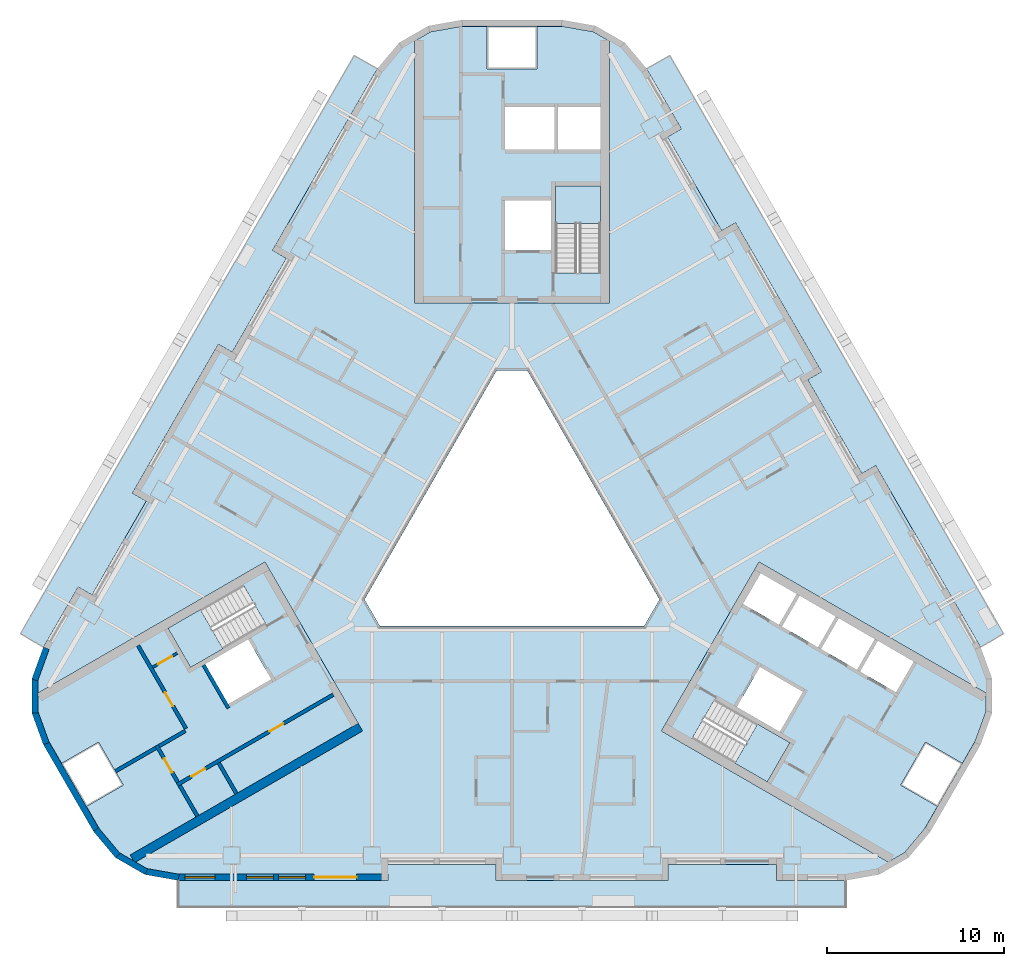
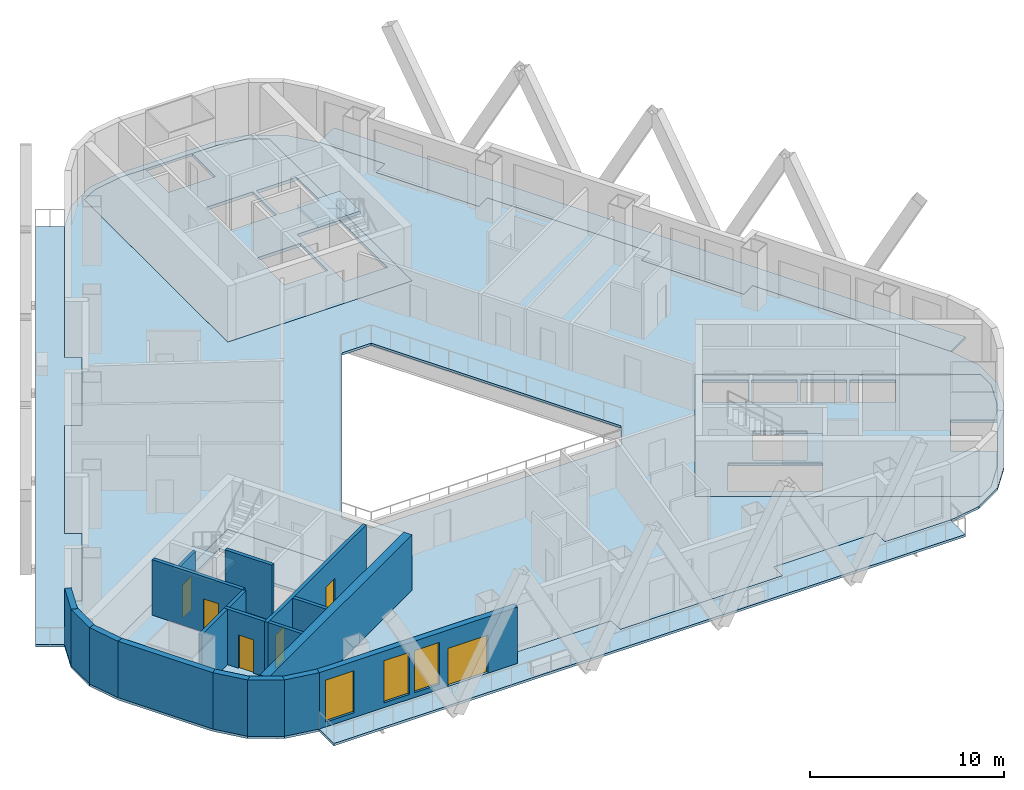
# One storey, part 2 of 13: 18 walls, 10 slabs, 6 doors, 3 windows, 9 openings, 3 elements without a shape of their own.
"""IFC4 building model written with IfcOpenShell, lengths in metres."""

from ifc_helpers import new_model, si_unit, direction, frame, frame_2d, origin, place, context, subcontext, project, spatial, polyline, rectangle, outline, extrude, material, layer, layer_set, type_object, element, fill, aggregate, save


model = new_model("IFC4")

# Units and contexts
model_context = context("Model", 3, precision=1e-05, world=origin(), true_north=direction((0.0, 1.0)))
body_context = subcontext(model_context, "Body", "Model", "MODEL_VIEW")
ifc_project = project(units=[si_unit("LENGTHUNIT", "METRE"), si_unit("AREAUNIT", "SQUARE_METRE"), si_unit("VOLUMEUNIT", "CUBIC_METRE"), si_unit("PLANEANGLEUNIT", "RADIAN"), si_unit("MASSUNIT", "GRAM", prefix="KILO")], contexts=[model_context])

# Site, building, storey
site_placement = place(None, origin())
site = spatial("IfcSite", under=ifc_project, at=site_placement, CompositionType="ELEMENT")
building_placement = place(site_placement, origin())
building = spatial("IfcBuilding", under=site, at=building_placement, Name="Apuvela Tower Hotel", CompositionType="ELEMENT")
storey_placement = place(building_placement, frame((0.0, 0.0, 68.699951171875)))
storey = spatial("IfcBuildingStorey", under=building, at=storey_placement, Name="L14", CompositionType="ELEMENT", Elevation=68.699951171875)

# Slabs
ifc_material_1 = material(Name="Concrete C50/60", Category="concrete")
ifc_layer_1 = layer(ifc_material_1, 0.199951171875)
ifc_layer_set_1 = layer_set([ifc_layer_1], Name="COR-FLOOR-200")
slab_type_1 = type_object("IfcSlabType", Name="COR-FLOOR-200", PredefinedType="FLOOR", material=ifc_layer_set_1)
slab_1_placement = place(storey_placement, frame((0.0, 0.0, -0.199951171875)))
element("IfcSlab", 1, at=slab_1_placement, inside=storey, type_object=slab_type_1, Name="Core floor N", PredefinedType="FLOOR", context=body_context, shape_type="SweptSolid", body=[
    extrude(outline(polyline([(5.5, 27.668212890625), (4.588623046875, 28.1943359375), (2.85498046875, 28.5), (1.39990234375, 28.5), (1.39990234375, 26.10009765625), (-1.39990234375, 26.10009765625), (-1.39990234375, 28.5), (-2.85498046875, 28.5), (-4.588623046875, 28.1943359375), (-5.5, 27.668212890625), (-5.5, 12.89990234375), (5.5, 12.89990234375), (5.5, 27.668212890625)]), holes=[polyline([(5.0, 14.60595703125), (2.449951171875, 14.60595703125), (2.449951171875, 19.5), (5.0, 19.5), (5.0, 14.60595703125)]), polyline([(2.199951171875, 15.89990234375), (-0.39990234375, 15.89990234375), (-0.39990234375, 18.699951171875), (2.199951171875, 18.699951171875), (2.199951171875, 15.89990234375)]), polyline([(5.0, 21.550048828125), (2.60009765625, 21.550048828125), (2.60009765625, 23.949951171875), (5.0, 23.949951171875), (5.0, 21.550048828125)]), polyline([(2.39990234375, 21.550048828125), (-0.39990234375, 21.550048828125), (-0.39990234375, 23.949951171875), (2.39990234375, 23.949951171875), (2.39990234375, 21.550048828125)])]), origin(), (0.0, 0.0, 1.0), 0.199951171875),
])
slab_2_placement = place(storey_placement, frame((0.0, 0.0, -0.199951171875)))
element("IfcSlab", 2, at=slab_2_placement, inside=storey, type_object=slab_type_1, Name="Core floor SW", PredefinedType="FLOOR", context=body_context, shape_type="SweptSolid", body=[
    extrude(outline(polyline([(-26.711181640625, -9.07080078125), (-26.711181640625, -10.123291015625), (-26.109375, -11.77734375), (-25.381591796875, -13.03759765625), (-23.30322265625, -11.837646484375), (-21.9033203125, -14.262451171875), (-23.981689453125, -15.46240234375), (-23.254150390625, -16.72265625), (-22.122802734375, -18.071044921875), (-21.211181640625, -18.59716796875), (-8.421630859375, -11.213134765625), (-13.921630859375, -1.68701171875), (-26.711181640625, -9.07080078125)]), holes=[polyline([(-13.874267578125, -5.18115234375), (-18.112548828125, -7.628173828125), (-19.387451171875, -5.419921875), (-15.149169921875, -2.972900390625), (-13.874267578125, -5.18115234375)]), polyline([(-13.56982421875, -8.29638671875), (-15.99462890625, -9.6962890625), (-17.294677734375, -7.444580078125), (-14.869873046875, -6.044677734375), (-13.56982421875, -8.29638671875)])]), origin(), (0.0, 0.0, 1.0), 0.199951171875),
])
slab_3_placement = place(storey_placement, frame((0.0, 0.0, -0.199951171875)))
element("IfcSlab", 3, at=slab_3_placement, inside=storey, type_object=slab_type_1, Name="Core floor SE", PredefinedType="FLOOR", context=body_context, shape_type="SweptSolid", body=[
    extrude(outline(polyline([(21.211181640625, -18.59716796875), (22.122802734375, -18.071044921875), (23.254150390625, -16.72265625), (23.981689453125, -15.46240234375), (21.9033203125, -14.262451171875), (23.30322265625, -11.837646484375), (25.381591796875, -13.03759765625), (26.109375, -11.77734375), (26.711181640625, -10.123291015625), (26.711181640625, -9.07080078125), (13.921630859375, -1.68701171875), (8.421630859375, -11.213134765625), (21.211181640625, -18.59716796875)]), holes=[polyline([(13.01806640625, -4.052001953125), (14.01806640625, -2.31982421875), (16.044677734375, -3.489990234375), (15.044677734375, -5.221923828125), (13.01806640625, -4.052001953125)]), polyline([(17.244384765625, -6.491943359375), (15.2177734375, -5.322021484375), (16.2177734375, -3.58984375), (18.244384765625, -4.760009765625), (17.244384765625, -6.491943359375)]), polyline([(14.387451171875, -14.080078125), (10.149169921875, -11.633056640625), (11.42431640625, -9.4248046875), (15.66259765625, -11.871826171875), (14.387451171875, -14.080078125)]), polyline([(12.669921875, -9.855224609375), (13.9697265625, -7.603515625), (16.394775390625, -9.003662109375), (15.0947265625, -11.25537109375), (12.669921875, -9.855224609375)]), polyline([(19.444091796875, -7.761962890625), (17.41748046875, -6.591796875), (18.41748046875, -4.85986328125), (20.444091796875, -6.02978515625), (19.444091796875, -7.761962890625)]), polyline([(21.643798828125, -9.031982421875), (19.6171875, -7.86181640625), (20.6171875, -6.1298828125), (22.643798828125, -7.2998046875), (21.643798828125, -9.031982421875)])]), origin(), (0.0, 0.0, 1.0), 0.199951171875),
])

# Stair, slab
stair_type = type_object("IfcStairType", Name="COR-STAIR-22R", PredefinedType="HALF_TURN_STAIR", material=ifc_material_1)
stair_1_placement = place(storey_placement, origin())
stair_1 = element("IfcStair", 4, at=stair_1_placement, inside=storey, type_object=stair_type, Name="L14 Exit stair ST1", PredefinedType="HALF_TURN_STAIR")
ifc_layer_2 = layer(ifc_material_1, 0.199951171875)
ifc_layer_set_2 = layer_set([ifc_layer_2], Name="COR-LANDING-200")
slab_type_2 = type_object("IfcSlabType", Name="COR-LANDING-200", PredefinedType="LANDING", material=ifc_layer_set_2)
slab_4_placement = place(storey_placement, frame((0.0, 0.0, 1.650146484375)))
slab_4 = element("IfcSlab", 5, at=slab_4_placement, type_object=slab_type_2, Name="ST1 landing 1", PredefinedType="LANDING", context=body_context, shape_type="SweptSolid", body=[
    extrude(outline(polyline([(5.0, 17.39404296875), (5.0, 19.5), (2.449951171875, 19.5), (2.449951171875, 17.39404296875), (5.0, 17.39404296875)])), origin(), (0.0, 0.0, 1.0), 0.199951171875),
])
aggregate(stair_1, [slab_4])

stair_2_placement = place(storey_placement, origin())
stair_2 = element("IfcStair", 6, at=stair_2_placement, inside=storey, type_object=stair_type, Name="L14 Exit stair ST2", PredefinedType="HALF_TURN_STAIR")
slab_5_placement = place(storey_placement, frame((0.0, 0.0, 1.650146484375)))
slab_5 = element("IfcSlab", 7, at=slab_5_placement, type_object=slab_type_2, Name="ST2 landing 1", PredefinedType="LANDING", context=body_context, shape_type="SweptSolid", body=[
    extrude(outline(polyline([(-17.563720703125, -4.366943359375), (-19.387451171875, -5.419921875), (-18.112548828125, -7.628173828125), (-16.28857421875, -6.5751953125), (-17.563720703125, -4.366943359375)])), origin(), (0.0, 0.0, 1.0), 0.199951171875),
])
aggregate(stair_2, [slab_5])

stair_3_placement = place(storey_placement, origin())
stair_3 = element("IfcStair", 8, at=stair_3_placement, inside=storey, type_object=stair_type, Name="L14 Exit stair ST3", PredefinedType="HALF_TURN_STAIR")
slab_6_placement = place(storey_placement, frame((0.0, 0.0, 1.650146484375)))
slab_6 = element("IfcSlab", 9, at=slab_6_placement, type_object=slab_type_2, Name="ST3 landing 1", PredefinedType="LANDING", context=body_context, shape_type="SweptSolid", body=[
    extrude(outline(polyline([(12.563720703125, -13.027099609375), (14.387451171875, -14.080078125), (15.66259765625, -11.871826171875), (13.838623046875, -10.81884765625), (12.563720703125, -13.027099609375)])), origin(), (0.0, 0.0, 1.0), 0.199951171875),
])
aggregate(stair_3, [slab_6])

# Slabs
ifc_material_2 = material(Name="Concrete C40/50, fair-faced", Category="concrete")
ifc_layer_3 = layer(ifc_material_2, 0.14990234375)
ifc_layer_set_3 = layer_set([ifc_layer_3], Name="ENV-BALCONY-150")
slab_type_3 = type_object("IfcSlabType", Name="ENV-BALCONY-150", PredefinedType="FLOOR", material=ifc_layer_set_3)
slab_7_placement = place(storey_placement, frame((0.0, 0.0, -0.14990234375)))
element("IfcSlab", 10, at=slab_7_placement, inside=storey, type_object=slab_type_3, Name="Balcony slab S L14", PredefinedType="FLOOR", context=body_context, shape_type="SweptSolid", body=[
    extrude(outline(polyline([(18.82080078125, -21.135009765625), (-18.82080078125, -21.135009765625), (-18.82080078125, -19.625), (-7.0048828125, -19.625), (-7.0048828125, -18.72509765625), (-0.89501953125, -18.72509765625), (-0.89501953125, -19.625), (8.794921875, -19.625), (8.794921875, -18.72509765625), (14.905029296875, -18.72509765625), (14.905029296875, -19.625), (18.82080078125, -19.625), (18.82080078125, -21.135009765625)])), origin(), (0.0, 0.0, 1.0), 0.14990234375),
])
slab_8_placement = place(storey_placement, frame((0.0, 0.0, -0.14990234375)))
element("IfcSlab", 11, at=slab_8_placement, inside=storey, type_object=slab_type_3, Name="Balcony slab NE L14", PredefinedType="FLOOR", context=body_context, shape_type="SweptSolid", body=[
    extrude(outline(polyline([(17.443359375, 9.037353515625), (12.598388671875, 17.42919921875), (11.81884765625, 16.979248046875), (8.763916015625, 22.2705078125), (9.543212890625, 22.720703125), (7.585205078125, 26.11181640625), (8.89306640625, 26.86669921875), (27.7138671875, -5.731689453125), (26.40625, -6.48681640625), (20.498291015625, 3.74609375), (19.71875, 3.2958984375), (16.663818359375, 8.58740234375), (17.443359375, 9.037353515625)])), origin(), (0.0, 0.0, 1.0), 0.14990234375),
])
slab_9_placement = place(storey_placement, frame((0.0, 0.0, -0.14990234375)))
element("IfcSlab", 12, at=slab_9_placement, inside=storey, type_object=slab_type_3, Name="Balcony slab NW L14", PredefinedType="FLOOR", context=body_context, shape_type="SweptSolid", body=[
    extrude(outline(polyline([(-27.7138671875, -5.731689453125), (-8.89306640625, 26.86669921875), (-7.585205078125, 26.11181640625), (-13.4931640625, 15.87890625), (-12.7138671875, 15.428955078125), (-15.768798828125, 10.1376953125), (-16.548095703125, 10.587646484375), (-21.393310546875, 2.19580078125), (-20.61376953125, 1.745849609375), (-23.668701171875, -3.545654296875), (-24.4482421875, -3.095703125), (-26.40625, -6.48681640625), (-27.7138671875, -5.731689453125)])), origin(), (0.0, 0.0, 1.0), 0.14990234375),
])
ifc_material_3 = material(Name="Concrete C35/45", Category="concrete")
ifc_layer_4 = layer(ifc_material_3, 0.14990234375)
ifc_layer_set_4 = layer_set([ifc_layer_4], Name="STR-SLAB 150 floor Concrete C35/45")
slab_type_4 = type_object("IfcSlabType", Name="STR-SLAB 150 floor Concrete C35/45", PredefinedType="FLOOR", material=ifc_layer_set_4)
slab_10_placement = place(storey_placement, frame((0.0, 0.0, -0.14990234375)))
element("IfcSlab", 13, at=slab_10_placement, inside=storey, type_object=slab_type_4, Name="Floor slab S4 L14", PredefinedType="FLOOR", context=body_context, shape_type="SweptSolid", body=[
    extrude(outline(polyline([(-6.3642578125, 27.5732421875), (-4.710205078125, 28.5283203125), (-2.8291015625, 28.860107421875), (2.8291015625, 28.860107421875), (4.710205078125, 28.5283203125), (6.3642578125, 27.5732421875), (7.59228515625, 26.110107421875), (9.550048828125, 22.71875), (8.770751953125, 22.268798828125), (11.82080078125, 16.986083984375), (12.60009765625, 17.43603515625), (17.4501953125, 9.035400390625), (16.670654296875, 8.58544921875), (19.720703125, 3.302734375), (20.5, 3.752685546875), (26.407958984375, -6.47998046875), (27.061279296875, -8.27490234375), (27.061279296875, -10.18505859375), (26.407958984375, -11.97998046875), (23.5791015625, -16.8798828125), (22.351318359375, -18.34326171875), (20.697021484375, -19.29833984375), (18.81591796875, -19.6298828125), (14.89990234375, -19.6298828125), (14.89990234375, -18.72998046875), (8.800048828125, -18.72998046875), (8.800048828125, -19.6298828125), (-0.89990234375, -19.6298828125), (-0.89990234375, -18.72998046875), (-7.0, -18.72998046875), (-7.0, -19.6298828125), (-18.81591796875, -19.6298828125), (-20.697021484375, -19.29833984375), (-22.351318359375, -18.34326171875), (-23.5791015625, -16.8798828125), (-26.407958984375, -11.97998046875), (-27.061279296875, -10.18505859375), (-27.061279296875, -8.27490234375), (-26.407958984375, -6.47998046875), (-24.4501953125, -3.088623046875), (-23.670654296875, -3.538818359375), (-20.62060546875, 1.743896484375), (-21.400146484375, 2.194091796875), (-16.550048828125, 10.594482421875), (-15.7705078125, 10.14453125), (-12.720703125, 15.42724609375), (-13.5, 15.877197265625), (-7.59228515625, 26.110107421875), (-6.3642578125, 27.5732421875)]), holes=[polyline([(0.865966796875, 9.10009765625), (-0.865966796875, 9.10009765625), (-8.313720703125, -3.800048828125), (-7.44775390625, -5.300048828125), (7.44775390625, -5.300048828125), (8.313720703125, -3.800048828125), (0.865966796875, 9.10009765625)]), polyline([(-5.5, 12.89990234375), (-5.5, 27.668212890625), (-4.588623046875, 28.1943359375), (-2.85498046875, 28.5), (2.85498046875, 28.5), (4.588623046875, 28.1943359375), (5.5, 27.668212890625), (5.5, 12.89990234375), (-5.5, 12.89990234375)]), polyline([(-8.421630859375, -11.213134765625), (-21.211181640625, -18.59716796875), (-22.122802734375, -18.071044921875), (-23.254150390625, -16.72265625), (-26.109375, -11.77734375), (-26.711181640625, -10.123291015625), (-26.711181640625, -9.07080078125), (-13.921630859375, -1.68701171875), (-8.421630859375, -11.213134765625)]), polyline([(13.921630859375, -1.68701171875), (26.711181640625, -9.07080078125), (26.711181640625, -10.123291015625), (26.109375, -11.77734375), (23.254150390625, -16.72265625), (22.122802734375, -18.071044921875), (21.211181640625, -18.59716796875), (8.421630859375, -11.213134765625), (13.921630859375, -1.68701171875)])]), origin(), (0.0, 0.0, 1.0), 0.14990234375),
])

# Wall
ifc_layer_5 = layer(ifc_material_1, 0.5)
ifc_layer_set_5 = layer_set([ifc_layer_5], Name="COR-WALL-CORE-500")
wall_type_1 = type_object("IfcWallType", Name="COR-WALL-CORE-500", PredefinedType="SHEAR", material=ifc_layer_set_5)
wall_1_placement = place(storey_placement, frame((-8.546630859375, -10.99658203125, 0.0), z_axis=(0.0, 0.0, 1.0), x_axis=(-0.866025009528, -0.500000682871, 0.0)))
element("IfcWall", 14, at=wall_1_placement, inside=storey, type_object=wall_type_1, Name="Core wall SW", PredefinedType="SHEAR", context=body_context, shape_type="SweptSolid", body=[
    extrude(rectangle(XDim=14.8369140625, YDim=0.5, at=frame_2d((7.41845703125, 0.0))), origin(), (0.0, 0.0, 1.0), 3.5),
])

# Wall, opening, door
ifc_material_4 = material(Name="Blockwork 150 mm plastered", Category="masonry")
ifc_layer_6 = layer(ifc_material_4, 0.14990234375)
ifc_layer_set_6 = layer_set([ifc_layer_6], Name="COR-WALL-PART-150")
wall_type_2 = type_object("IfcWallType", Name="COR-WALL-PART-150", PredefinedType="PARTITIONING", material=ifc_layer_set_6)
wall_2_placement = place(storey_placement, frame((-18.866455078125, -6.822265625, 0.0), z_axis=(0.0, 0.0, 1.0), x_axis=(-0.866028054938, -0.499995408039, 0.0)))
wall_2 = element("IfcWall", 15, at=wall_2_placement, inside=storey, type_object=wall_type_2, Name="Partition SW", PredefinedType="PARTITIONING", context=body_context, shape_type="SweptSolid", body=[
    extrude(rectangle(XDim=1.60009765625, YDim=0.14990234375, at=frame_2d((0.800048828125, 0.0))), origin(), (0.0, 0.0, 1.0), 3.5),
])
opening_1_placement = place(wall_2_placement, frame((0.35009765625, 0.0, 0.0)))
opening_1 = element("IfcOpeningElement", 16, at=opening_1_placement, cuts=wall_2, Name="Opening W-RD", PredefinedType="OPENING", context=body_context, shape_type="SweptSolid", body=[
    extrude(rectangle(XDim=0.89990234375, YDim=2.10009765625, at=frame_2d((0.449951171875, 1.050048828125))), frame((0.0, 0.0849609375, 0.0), z_axis=(0.0, -1.0, 0.0), x_axis=(1.0, 0.0, 0.0)), (0.0, 0.0, 1.0), 0.169921875),
])
ifc_material_5 = material(Name="Steel access door, powder coated", Category="steel")
door_type_1 = type_object("IfcDoorType", Name="COR-RD-900", OperationType="NOTDEFINED", PredefinedType="DOOR", material=ifc_material_5)
door_1_placement = place(opening_1_placement, frame((0.89990234375, 0.0, 0.0), z_axis=(0.0, 0.0, 1.0), x_axis=(-1.0, 0.0, 0.0)))
door_1 = element("IfcDoor", 17, at=door_1_placement, inside=storey, type_object=door_type_1, Name="Riser door W-RD", OperationType="SINGLE_SWING_RIGHT", OverallHeight=2.10009765625, OverallWidth=0.89990234375, PredefinedType="DOOR", context=body_context, shape_type="SweptSolid", body=[
    extrude(rectangle(XDim=0.89990234375, YDim=2.10009765625, at=frame_2d((0.449951171875, 1.050048828125))), frame((0.0, 0.02490234375, 0.0), z_axis=(0.0, -1.0, 0.0), x_axis=(1.0, 0.0, 0.0)), (0.0, 0.0, 1.0), 0.050048828125),
])
fill(opening_1, door_1)

ifc_material_6 = material(Name="Blockwork 200 mm plastered", Category="masonry")
ifc_layer_7 = layer(ifc_material_6, 0.199951171875)
ifc_layer_set_7 = layer_set([ifc_layer_7], Name="COR-WALL-PART-200")
wall_type_3 = type_object("IfcWallType", Name="COR-WALL-PART-200", PredefinedType="PARTITIONING", material=ifc_layer_set_7)
wall_3_placement = place(storey_placement, frame((-21.076171875, -6.39501953125, 0.0), z_axis=(0.0, 0.0, 1.0), x_axis=(0.50001468107, -0.866016927499, 0.0)))
wall_3 = element("IfcWall", 18, at=wall_3_placement, inside=storey, type_object=wall_type_3, Name="Partition SW", PredefinedType="PARTITIONING", context=body_context, shape_type="SweptSolid", body=[
    extrude(rectangle(XDim=5.399658203125, YDim=0.199951171875, at=frame_2d((2.69970703125, 0.0))), origin(), (0.0, 0.0, 1.0), 3.5),
])
opening_2_placement = place(wall_3_placement, frame((3.050048828125, 0.0, 0.0)))
opening_2 = element("IfcOpeningElement", 19, at=opening_2_placement, cuts=wall_3, Name="Opening W-RS1", PredefinedType="OPENING", context=body_context, shape_type="SweptSolid", body=[
    extrude(rectangle(XDim=0.89990234375, YDim=2.10009765625, at=frame_2d((0.449951171875, 1.050048828125))), frame((0.0, 0.10986328125, 0.0), z_axis=(0.0, -1.0, 0.0), x_axis=(1.0, 0.0, 0.0)), (0.0, 0.0, 1.0), 0.219970703125),
])
ifc_material_7 = material(Name="Steel fire door, powder coated", Category="steel")
door_type_2 = type_object("IfcDoorType", Name="COR-DR-900", OperationType="NOTDEFINED", PredefinedType="DOOR", material=ifc_material_7)
door_2_placement = place(opening_2_placement, frame((0.89990234375, 0.0, 0.0), z_axis=(0.0, 0.0, 1.0), x_axis=(-1.0, 0.0, 0.0)))
door_2 = element("IfcDoor", 20, at=door_2_placement, inside=storey, type_object=door_type_2, Name="Store door W-RS1", OperationType="SINGLE_SWING_LEFT", OverallHeight=2.10009765625, OverallWidth=0.89990234375, PredefinedType="DOOR", context=body_context, shape_type="SweptSolid", body=[
    extrude(rectangle(XDim=0.89990234375, YDim=2.10009765625, at=frame_2d((0.449951171875, 1.050048828125))), frame((0.0, 0.02490234375, 0.0), z_axis=(0.0, -1.0, 0.0), x_axis=(1.0, 0.0, 0.0)), (0.0, 0.0, 1.0), 0.050048828125),
])
fill(opening_2, door_2)

# Wall
ifc_layer_8 = layer(ifc_material_1, 0.199951171875)
ifc_layer_set_8 = layer_set([ifc_layer_8], Name="COR-WALL-SHAFT-200")
wall_type_4 = type_object("IfcWallType", Name="COR-WALL-SHAFT-200", PredefinedType="SHEAR", material=ifc_layer_set_8)
wall_4_placement = place(storey_placement, frame((-17.38134765625, -7.49462890625, 0.0), z_axis=(0.0, 0.0, 1.0), x_axis=(0.500011755427, -0.866018616679, 0.0)))
element("IfcWall", 21, at=wall_4_placement, inside=storey, type_object=wall_type_4, Name="Shaft wall SW", PredefinedType="SHEAR", context=body_context, shape_type="SweptSolid", body=[
    extrude(rectangle(XDim=2.80029296875, YDim=0.199951171875, at=frame_2d((1.400146484375, 0.0))), origin(), (0.0, 0.0, 1.0), 3.5),
])

# Wall, openings, doors
wall_5_placement = place(storey_placement, frame((-10.068115234375, -9.16162109375, 0.0), z_axis=(0.0, 0.0, 1.0), x_axis=(-0.866032725843, -0.499987317609, 0.0)))
wall_5 = element("IfcWall", 22, at=wall_5_placement, inside=storey, type_object=wall_type_4, Name="Shaft wall SW", PredefinedType="SHEAR", context=body_context, shape_type="SweptSolid", body=[
    extrude(rectangle(XDim=10.159912109375, YDim=0.199951171875, at=frame_2d((5.080078125, 0.0))), origin(), (0.0, 0.0, 1.0), 3.5),
])
opening_3_placement = place(wall_5_placement, frame((3.260009765625, 0.0, 0.0)))
opening_3 = element("IfcOpeningElement", 23, at=opening_3_placement, cuts=wall_5, Name="Opening W-RE1", PredefinedType="OPENING", context=body_context, shape_type="SweptSolid", body=[
    extrude(rectangle(XDim=0.89990234375, YDim=2.10009765625, at=frame_2d((0.449951171875, 1.050048828125))), frame((0.0, 0.10986328125, 0.0), z_axis=(0.0, -1.0, 0.0), x_axis=(1.0, 0.0, 0.0)), (0.0, 0.0, 1.0), 0.219970703125),
])
opening_4_placement = place(wall_5_placement, frame((8.340087890625, 0.0, 0.0)))
opening_4 = element("IfcOpeningElement", 24, at=opening_4_placement, cuts=wall_5, Name="Opening W-RE4", PredefinedType="OPENING", context=body_context, shape_type="SweptSolid", body=[
    extrude(rectangle(XDim=0.89990234375, YDim=2.10009765625, at=frame_2d((0.449951171875, 1.050048828125))), frame((0.0, 0.10986328125, 0.0), z_axis=(0.0, -1.0, 0.0), x_axis=(1.0, 0.0, 0.0)), (0.0, 0.0, 1.0), 0.219970703125),
])
door_3_placement = place(opening_3_placement, origin())
door_3 = element("IfcDoor", 25, at=door_3_placement, inside=storey, type_object=door_type_2, Name="Store door W-RE1", OperationType="SINGLE_SWING_LEFT", OverallHeight=2.10009765625, OverallWidth=0.89990234375, PredefinedType="DOOR", context=body_context, shape_type="SweptSolid", body=[
    extrude(rectangle(XDim=0.89990234375, YDim=2.10009765625, at=frame_2d((0.449951171875, 1.050048828125))), frame((0.0, 0.02490234375, 0.0), z_axis=(0.0, -1.0, 0.0), x_axis=(1.0, 0.0, 0.0)), (0.0, 0.0, 1.0), 0.050048828125),
])
fill(opening_3, door_3)
door_4_placement = place(opening_4_placement, origin())
door_4 = element("IfcDoor", 26, at=door_4_placement, inside=storey, type_object=door_type_2, Name="Store door W-RE4", OperationType="SINGLE_SWING_RIGHT", OverallHeight=2.10009765625, OverallWidth=0.89990234375, PredefinedType="DOOR", context=body_context, shape_type="SweptSolid", body=[
    extrude(rectangle(XDim=0.89990234375, YDim=2.10009765625, at=frame_2d((0.449951171875, 1.050048828125))), frame((0.0, 0.02490234375, 0.0), z_axis=(0.0, -1.0, 0.0), x_axis=(1.0, 0.0, 0.0)), (0.0, 0.0, 1.0), 0.050048828125),
])
fill(opening_4, door_4)

# Wall, opening, door
wall_6_placement = place(storey_placement, frame((-20.030517578125, -12.0263671875, 0.0), z_axis=(0.0, 0.0, 1.0), x_axis=(0.500033551112, -0.866006032174, 0.0)))
wall_6 = element("IfcWall", 27, at=wall_6_placement, inside=storey, type_object=wall_type_4, Name="Shaft wall SW", PredefinedType="SHEAR", context=body_context, shape_type="SweptSolid", body=[
    extrude(rectangle(XDim=2.400146484375, YDim=0.199951171875, at=frame_2d((1.2001953125, 0.0))), origin(), (0.0, 0.0, 1.0), 3.5),
])
opening_5_placement = place(wall_6_placement, frame((0.85009765625, 0.0, 0.0)))
opening_5 = element("IfcOpeningElement", 28, at=opening_5_placement, cuts=wall_6, Name="Opening W-REP", PredefinedType="OPENING", context=body_context, shape_type="SweptSolid", body=[
    extrude(rectangle(XDim=0.89990234375, YDim=2.10009765625, at=frame_2d((0.449951171875, 1.050048828125))), frame((0.0, 0.10986328125, 0.0), z_axis=(0.0, -1.0, 0.0), x_axis=(1.0, 0.0, 0.0)), (0.0, 0.0, 1.0), 0.219970703125),
])
door_5_placement = place(opening_5_placement, frame((0.89990234375, 0.0, 0.0), z_axis=(0.0, 0.0, 1.0), x_axis=(-1.0, 0.0, 0.0)))
door_5 = element("IfcDoor", 29, at=door_5_placement, inside=storey, type_object=door_type_2, Name="Store door W-REP", OperationType="SINGLE_SWING_LEFT", OverallHeight=2.10009765625, OverallWidth=0.89990234375, PredefinedType="DOOR", context=body_context, shape_type="SweptSolid", body=[
    extrude(rectangle(XDim=0.89990234375, YDim=2.10009765625, at=frame_2d((0.449951171875, 1.050048828125))), frame((0.0, 0.02490234375, 0.0), z_axis=(0.0, -1.0, 0.0), x_axis=(1.0, 0.0, 0.0)), (0.0, 0.0, 1.0), 0.050048828125),
])
fill(opening_5, door_5)

# Walls
wall_7_placement = place(storey_placement, frame((-18.412841796875, -11.2080078125, 0.0), z_axis=(0.0, 0.0, 1.0), x_axis=(-0.866038183914, -0.499977863513, 0.0)))
element("IfcWall", 30, at=wall_7_placement, inside=storey, type_object=wall_type_4, Name="Shaft wall SW", PredefinedType="SHEAR", context=body_context, shape_type="SweptSolid", body=[
    extrude(rectangle(XDim=1.7099609375, YDim=0.199951171875, at=frame_2d((0.85498046875, 0.0))), origin(), (0.0, 0.0, 1.0), 3.5),
])
for number, where, z_axis, x_axis, name in (
    (31, (-16.530517578125, -13.008056640625, 0.0), (0.0, 0.0, 1.0), (0.50002537861, -0.866010750942, 0.0), "Shaft wall SW"),
    (32, (-18.73046875, -14.278076171875, 0.0), (0.0, 0.0, 1.0), (0.50002537861, -0.866010750942, 0.0), "Shaft wall SW"),
):
    element("IfcWall", number, at=place(storey_placement, frame(where, z_axis=z_axis, x_axis=x_axis)), inside=storey, type_object=wall_type_4, Name=name, PredefinedType="SHEAR", context=body_context, shape_type="SweptSolid", body=[
        extrude(rectangle(XDim=2.0, YDim=0.199951171875, at=frame_2d((1.0, 0.0))), origin(), (0.0, 0.0, 1.0), 3.5),
    ])
wall_8_placement = place(storey_placement, frame((-20.06689453125, -12.1630859375, 0.0), z_axis=(0.0, 0.0, 1.0), x_axis=(-0.866060851709, -0.499938597367, 0.0)))
element("IfcWall", 33, at=wall_8_placement, inside=storey, type_object=wall_type_4, Name="Shaft wall SW", PredefinedType="SHEAR", context=body_context, shape_type="SweptSolid", body=[
    extrude(rectangle(XDim=2.639892578125, YDim=0.199951171875, at=frame_2d((1.31982421875, 0.0))), origin(), (0.0, 0.0, 1.0), 3.5),
])
ifc_material_8 = material(Name="Concrete C40/50, dark pigmented precast panel", Category="concrete")
ifc_layer_9 = layer(ifc_material_8, 0.35009765625)
ifc_layer_set_9 = layer_set([ifc_layer_9], Name="ENV-WALL-350")
wall_type_5 = type_object("IfcWallType", Name="ENV-WALL-350", PredefinedType="SOLIDWALL", material=ifc_layer_set_9)
for number, where, z_axis, x_axis, name in (
    (34, (-26.24365234375, -6.539794921875, 0.0), (0.0, 0.0, 1.0), (-0.342030395486, -0.939688889242, 0.0), "External wall L14-10"),
    (35, (-26.88623046875, -8.27490234375, 0.0), (0.0, 0.0, 1.0), (0.0, -1.0, 0.0), "External wall L14-11"),
    (36, (-26.89697265625, -10.125244140625, 0.0), (0.0, 0.0, 1.0), (0.342030395486, -0.939688889242, 0.0), "External wall L14-12"),
):
    element("IfcWall", number, at=place(storey_placement, frame(where, z_axis=z_axis, x_axis=x_axis)), inside=storey, type_object=wall_type_5, Name=name, PredefinedType="SOLIDWALL", context=body_context, shape_type="SweptSolid", body=[
        extrude(rectangle(XDim=1.91015625, YDim=0.35009765625, at=frame_2d((0.955078125, 0.0))), origin(), (0.0, 0.0, 1.0), 3.550048828125),
    ])
wall_9_placement = place(storey_placement, frame((-26.256591796875, -11.892578125, 0.0), z_axis=(0.0, 0.0, 1.0), x_axis=(0.500018773155, -0.866014564827, 0.0)))
element("IfcWall", 37, at=wall_9_placement, inside=storey, type_object=wall_type_5, Name="External wall L14-13", PredefinedType="SOLIDWALL", context=body_context, shape_type="SweptSolid", body=[
    extrude(rectangle(XDim=5.657958984375, YDim=0.35009765625, at=frame_2d((2.8291015625, 0.0))), origin(), (0.0, 0.0, 1.0), 3.550048828125),
])
for number, where, z_axis, x_axis, name in (
    (38, (-23.44482421875, -16.767578125, 0.0), (0.0, 0.0, 1.0), (0.642733291068, -0.76609001857, 0.0), "External wall L14-14"),
    (39, (-22.263671875, -18.191650390625, 0.0), (0.0, 0.0, 1.0), (0.866000389056, -0.500043324278, 0.0), "External wall L14-15"),
):
    element("IfcWall", number, at=place(storey_placement, frame(where, z_axis=z_axis, x_axis=x_axis)), inside=storey, type_object=wall_type_5, Name=name, PredefinedType="SOLIDWALL", context=body_context, shape_type="SweptSolid", body=[
        extrude(rectangle(XDim=1.909912109375, YDim=0.35009765625, at=frame_2d((0.955078125, 0.0))), origin(), (0.0, 0.0, 1.0), 3.550048828125),
    ])
wall_10_placement = place(storey_placement, frame((-20.66650390625, -19.1259765625, 0.0), z_axis=(0.0, 0.0, 1.0), x_axis=(0.984798995425, -0.173697837091, 0.0)))
element("IfcWall", 40, at=wall_10_placement, inside=storey, type_object=wall_type_5, Name="External wall L14-16", PredefinedType="SOLIDWALL", context=body_context, shape_type="SweptSolid", body=[
    extrude(rectangle(XDim=1.91015625, YDim=0.35009765625, at=frame_2d((0.955078125, 0.0))), origin(), (0.0, 0.0, 1.0), 3.550048828125),
])

# Wall, openings, door, windows
wall_11_placement = place(storey_placement, frame((-18.81591796875, -19.455078125, 0.0), z_axis=(0.0, 0.0, 1.0), x_axis=(1.0, 0.0, 0.0)))
wall_11 = element("IfcWall", 41, at=wall_11_placement, inside=storey, type_object=wall_type_5, Name="External wall L14-17", PredefinedType="SOLIDWALL", context=body_context, shape_type="SweptSolid", body=[
    extrude(rectangle(XDim=11.81591796875, YDim=0.35009765625, at=frame_2d((5.907958984375, 0.0))), origin(), (0.0, 0.0, 1.0), 3.550048828125),
])
opening_6_placement = place(wall_11_placement, frame((0.380615234375, 0.0, 0.300048828125)))
opening_6 = element("IfcOpeningElement", 42, at=opening_6_placement, cuts=wall_11, Name="Opening WN17", PredefinedType="OPENING", context=body_context, shape_type="SweptSolid", body=[
    extrude(rectangle(XDim=1.699951171875, YDim=2.64990234375, at=frame_2d((0.85009765625, 1.324951171875))), frame((0.0, 0.18505859375, 0.0), z_axis=(0.0, -1.0, 0.0), x_axis=(1.0, 0.0, 0.0)), (0.0, 0.0, 1.0), 0.3701171875),
])
opening_7_placement = place(wall_11_placement, frame((7.665283203125, 0.0, 0.0)))
opening_7 = element("IfcOpeningElement", 43, at=opening_7_placement, cuts=wall_11, Name="Opening BD24", PredefinedType="OPENING", context=body_context, shape_type="SweptSolid", body=[
    extrude(rectangle(XDim=2.39990234375, YDim=2.39990234375, at=frame_2d((1.199951171875, 1.199951171875))), frame((0.0, 0.18505859375, 0.0), z_axis=(0.0, -1.0, 0.0), x_axis=(1.0, 0.0, 0.0)), (0.0, 0.0, 1.0), 0.3701171875),
])
opening_8_placement = place(wall_11_placement, frame((3.865966796875, 0.0, 0.300048828125)))
opening_8 = element("IfcOpeningElement", 44, at=opening_8_placement, cuts=wall_11, Name="Opening WN15", PredefinedType="OPENING", context=body_context, shape_type="SweptSolid", body=[
    extrude(rectangle(XDim=1.5, YDim=2.64990234375, at=frame_2d((0.75, 1.324951171875))), frame((0.0, 0.18505859375, 0.0), z_axis=(0.0, -1.0, 0.0), x_axis=(1.0, 0.0, 0.0)), (0.0, 0.0, 1.0), 0.3701171875),
])
opening_9_placement = place(wall_11_placement, frame((5.666015625, 0.0, 0.300048828125)))
opening_9 = element("IfcOpeningElement", 45, at=opening_9_placement, cuts=wall_11, Name="Opening WN15", PredefinedType="OPENING", context=body_context, shape_type="SweptSolid", body=[
    extrude(rectangle(XDim=1.5, YDim=2.64990234375, at=frame_2d((0.75, 1.324951171875))), frame((0.0, 0.18505859375, 0.0), z_axis=(0.0, -1.0, 0.0), x_axis=(1.0, 0.0, 0.0)), (0.0, 0.0, 1.0), 0.3701171875),
])
ifc_material_9 = material(Name="Aluminium 6063-T6, dark bronze anodised frame with dark tinted laminated glass", Category="aluminium")
door_type_3 = type_object("IfcDoorType", Name="ENV-DOOR-BALCONY-2400x2400", OperationType="SLIDING_TO_LEFT", PredefinedType="DOOR", material=ifc_material_9)
door_6_placement = place(opening_7_placement, frame((2.39990234375, 0.0, 0.0), z_axis=(0.0, 0.0, 1.0), x_axis=(-1.0, 0.0, 0.0)))
door_6 = element("IfcDoor", 46, at=door_6_placement, inside=storey, type_object=door_type_3, Name="Balcony door BD24", OperationType="SLIDING_TO_LEFT", OverallHeight=2.39990234375, OverallWidth=2.39990234375, PredefinedType="DOOR", context=body_context, shape_type="SweptSolid", body=[
    extrude(rectangle(XDim=2.39990234375, YDim=2.39990234375, at=frame_2d((1.199951171875, 1.199951171875))), frame((0.0, 0.02490234375, 0.0), z_axis=(0.0, -1.0, 0.0), x_axis=(1.0, 0.0, 0.0)), (0.0, 0.0, 1.0), 0.050048828125),
])
fill(opening_7, door_6)
ifc_material_10 = material(Name="Glass, dark tinted laminated insulated glazing unit", Category="glass")
window_type_1 = type_object("IfcWindowType", Name="ENV-WIN-1500x2650", PartitioningType="SINGLE_PANEL", PredefinedType="WINDOW", material=ifc_material_10)
window_1_placement = place(opening_8_placement, origin())
window_1 = element("IfcWindow", 47, at=window_1_placement, inside=storey, type_object=window_type_1, Name="Window WN15", OverallHeight=2.64990234375, OverallWidth=1.5, PartitioningType="SINGLE_PANEL", PredefinedType="WINDOW", context=body_context, shape_type="SweptSolid", body=[
    extrude(rectangle(XDim=1.5, YDim=2.64990234375, at=frame_2d((0.75, 1.324951171875))), frame((0.0, 0.030029296875, 0.0), z_axis=(0.0, -1.0, 0.0), x_axis=(1.0, 0.0, 0.0)), (0.0, 0.0, 1.0), 0.06005859375),
])
fill(opening_8, window_1)
window_2_placement = place(opening_9_placement, origin())
window_2 = element("IfcWindow", 48, at=window_2_placement, inside=storey, type_object=window_type_1, Name="Window WN15", OverallHeight=2.64990234375, OverallWidth=1.5, PartitioningType="SINGLE_PANEL", PredefinedType="WINDOW", context=body_context, shape_type="SweptSolid", body=[
    extrude(rectangle(XDim=1.5, YDim=2.64990234375, at=frame_2d((0.75, 1.324951171875))), frame((0.0, 0.030029296875, 0.0), z_axis=(0.0, -1.0, 0.0), x_axis=(1.0, 0.0, 0.0)), (0.0, 0.0, 1.0), 0.06005859375),
])
fill(opening_9, window_2)
window_type_2 = type_object("IfcWindowType", Name="ENV-WIN-1700x2650", PartitioningType="SINGLE_PANEL", PredefinedType="WINDOW", material=ifc_material_10)
window_3_placement = place(opening_6_placement, origin())
window_3 = element("IfcWindow", 49, at=window_3_placement, inside=storey, type_object=window_type_2, Name="Window WN17", OverallHeight=2.64990234375, OverallWidth=1.699951171875, PartitioningType="SINGLE_PANEL", PredefinedType="WINDOW", context=body_context, shape_type="SweptSolid", body=[
    extrude(rectangle(XDim=1.699951171875, YDim=2.64990234375, at=frame_2d((0.85009765625, 1.324951171875))), frame((0.0, 0.030029296875, 0.0), z_axis=(0.0, -1.0, 0.0), x_axis=(1.0, 0.0, 0.0)), (0.0, 0.0, 1.0), 0.06005859375),
])
fill(opening_6, window_3)

save(model, "model.ifc")
